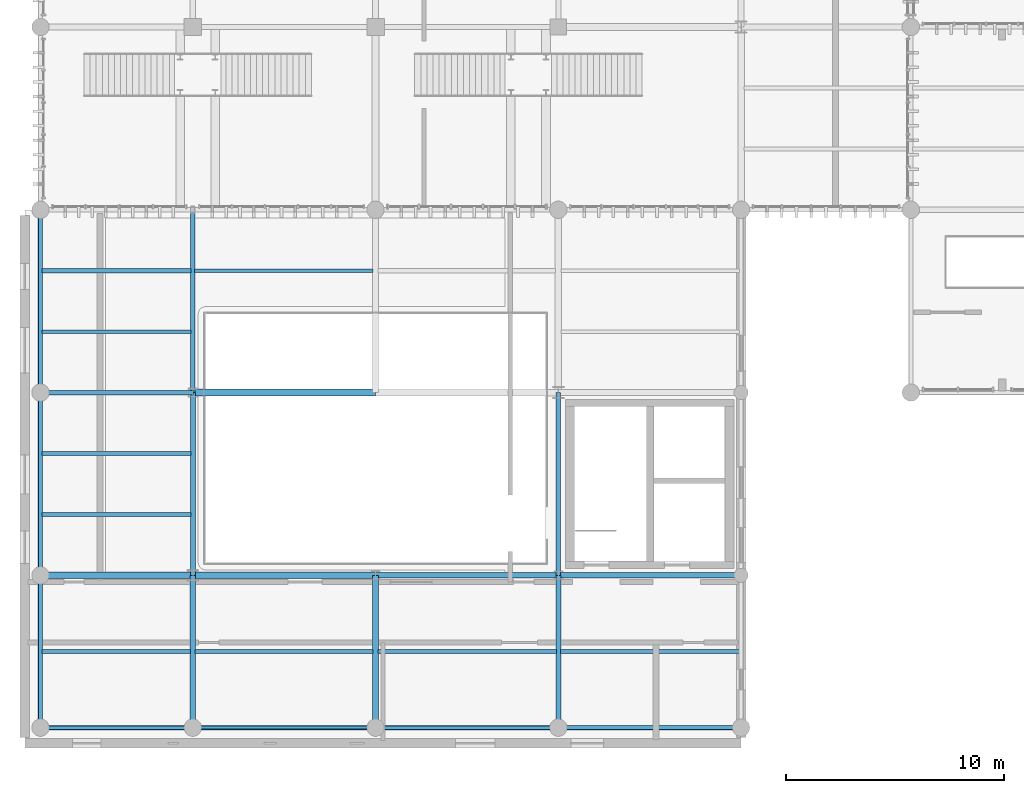
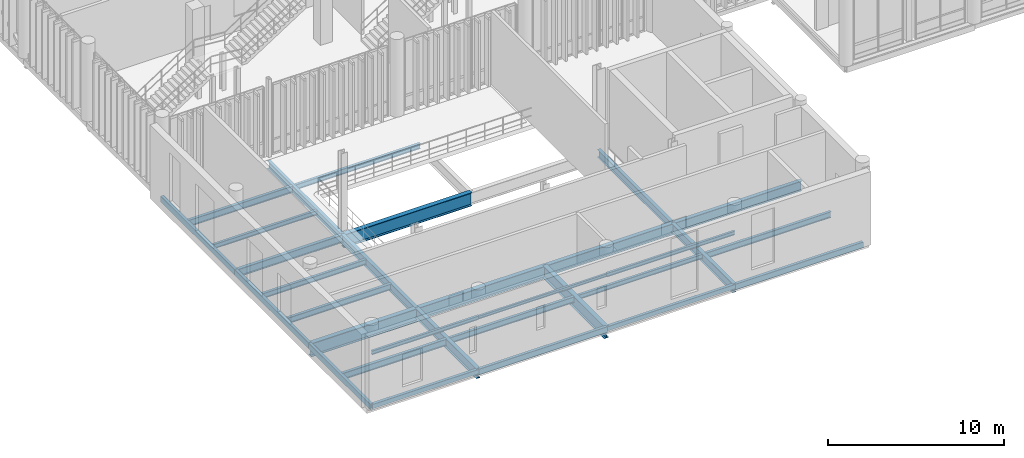
# One storey, part 14 of 128: 31 beams.
"""IFC4 building model written with IfcOpenShell, lengths in metres."""

import ifcopenshell
import ifcopenshell.guid

model = None  # the IFC model being written
_history = None  # IfcOwnerHistory: only IFC2X3 demands one
_inside = {}  # id of a spatial element -> (the spatial element, [elements in it])
_under = {}  # id of a project, library or spatial element -> (it, [spatial elements below it])
_declared = {}  # id of a project -> (the project, [libraries it declares])
_typed = {}  # id of a type object -> (the type object, [elements of that type])
_made_of = {}  # id of a material, layer set ... -> (it, [elements and type objects made of it])


def new_model(schema):
    """Start an empty IFC model of exactly this schema.

    Asked for "IFC4X3", IfcOpenShell would pick the latest addendum, in which some entities
    have other attributes; the version numbers below select the first issue.
    IFC2X3 requires an IfcOwnerHistory on every rooted entity: one is made here for all.
    """
    global model, _history
    if schema == "IFC4X3":
        model = ifcopenshell.file(schema_version=(4, 3, 0, 0))
    else:
        model = ifcopenshell.file(schema=schema)
    _inside.clear()
    _under.clear()
    _declared.clear()
    _typed.clear()
    _made_of.clear()
    _history = None
    if model.schema == "IFC2X3":
        org = make("IfcOrganization", Name="unknown")
        user = make(
            "IfcPersonAndOrganization",
            ThePerson=make("IfcPerson", FamilyName="unknown"),
            TheOrganization=org,
        )
        app = make(
            "IfcApplication",
            ApplicationDeveloper=org,
            Version="unknown",
            ApplicationFullName="unknown",
            ApplicationIdentifier="unknown",
        )
        _history = make(
            "IfcOwnerHistory",
            OwningUser=user,
            OwningApplication=app,
            ChangeAction="ADDED",
            CreationDate=0,
        )
    return model


def make(cls, **values):
    """One entity of the class cls with the attributes given. An attribute that is None is left unset."""
    return model.create_entity(
        cls, **{name: value for name, value in values.items() if value is not None}
    )


def rooted(cls, **values):
    """An entity with a GlobalId (a new one), such as an element, a storey or a relation."""
    return make(cls, GlobalId=ifcopenshell.guid.new(), OwnerHistory=_history, **values)


def si_unit(unit_type, name, prefix=None):
    """IfcSIUnit, for example si_unit("LENGTHUNIT", "METRE", prefix="MILLI")."""
    return make("IfcSIUnit", UnitType=unit_type, Prefix=prefix, Name=name)


def assignment(units):
    """IfcUnitAssignment: the units of a project."""
    return None if units is None else make("IfcUnitAssignment", Units=units)


def point(xyz):
    """IfcCartesianPoint."""
    return None if xyz is None else make("IfcCartesianPoint", Coordinates=xyz)


def direction(xyz):
    """IfcDirection."""
    return None if xyz is None else make("IfcDirection", DirectionRatios=xyz)


def frame(location, z_axis=None, x_axis=None):
    """IfcAxis2Placement3D, a coordinate frame: its origin and axes. An axis left out is left unset."""
    return make(
        "IfcAxis2Placement3D",
        Location=point(location),
        Axis=direction(z_axis),
        RefDirection=direction(x_axis),
    )


def frame_2d(location, x_axis=None):
    """IfcAxis2Placement2D, a coordinate frame in the plane: its origin and x axis."""
    return make(
        "IfcAxis2Placement2D", Location=point(location), RefDirection=direction(x_axis)
    )


def origin_with_axes():
    """The frame at (0, 0, 0) with the z axis (0, 0, 1) and the x axis (1, 0, 0) written out."""
    return frame((0.0, 0.0, 0.0), z_axis=(0.0, 0.0, 1.0), x_axis=(1.0, 0.0, 0.0))


def origin_2d_with_axis():
    """The frame at (0, 0) in the plane with the x axis (1, 0) written out."""
    return frame_2d((0.0, 0.0), x_axis=(1.0, 0.0))


def place(relative_to, where):
    """IfcLocalPlacement: puts the frame where relative to a parent placement (None: the world)."""
    return make(
        "IfcLocalPlacement", PlacementRelTo=relative_to, RelativePlacement=where
    )


def context(
    kind, dimensions, precision=None, world=None, true_north=None, identifier=None
):
    """IfcGeometricRepresentationContext, for example the 3D "Model" context."""
    return make(
        "IfcGeometricRepresentationContext",
        ContextIdentifier=identifier,
        ContextType=kind,
        CoordinateSpaceDimension=dimensions,
        Precision=precision,
        WorldCoordinateSystem=world,
        TrueNorth=true_north,
    )


def subcontext(parent, identifier, kind, view, scale=None):
    """IfcGeometricRepresentationSubContext, for example "Body" below "Model"."""
    return make(
        "IfcGeometricRepresentationSubContext",
        ContextIdentifier=identifier,
        ContextType=kind,
        ParentContext=parent,
        TargetScale=scale,
        TargetView=view,
    )


def project(units=None, contexts=None):
    """IfcProject with its units and contexts."""
    return rooted(
        "IfcProject",
        Name="project",
        RepresentationContexts=contexts,
        UnitsInContext=assignment(units),
    )


def spatial(cls, under=None, at=None, **own):
    """A site, building, storey or space (cls), placed at a placement, below another one or the project."""
    s = rooted(cls, ObjectPlacement=at, **own)
    if under is not None:
        _under.setdefault(under.id(), (under, []))[1].append(s)
    return s


def profile(cls, at=None, kind="AREA", **sizes):
    """A parametric profile (cls). Its sizes go by their IFC names, for example OverallWidth=200.0."""
    return make(cls, ProfileType=kind, Position=at, **sizes)


def hollow_rectangle(**sizes):
    """IfcRectangleHollowProfileDef."""
    return profile("IfcRectangleHollowProfileDef", **sizes)


def i_section(**sizes):
    """IfcIShapeProfileDef."""
    return profile("IfcIShapeProfileDef", **sizes)


def extrude(swept, where, along, depth):
    """IfcExtrudedAreaSolid: the profile swept, set in the frame where, extruded along a direction by depth."""
    return make(
        "IfcExtrudedAreaSolid",
        SweptArea=swept,
        Position=where,
        ExtrudedDirection=direction(along),
        Depth=depth,
    )


def shape(context_of_items, identifier, shape_type, items):
    """IfcShapeRepresentation: the items that make up one representation, for example the "Body"."""
    return make(
        "IfcShapeRepresentation",
        ContextOfItems=context_of_items,
        RepresentationIdentifier=identifier,
        RepresentationType=shape_type,
        Items=items,
    )


def material(Name=None, Category=None):
    """IfcMaterial."""
    return make("IfcMaterial", Name=Name, Category=Category)


def material_profile(
    of_material, cross_section, Name=None, Category=None, Priority=None
):
    """IfcMaterialProfile: a cross section and its material."""
    return make(
        "IfcMaterialProfile",
        Name=Name,
        Material=of_material,
        Profile=cross_section,
        Priority=Priority,
        Category=Category,
    )


def profile_set(profiles, Name=None, composite=None):
    """IfcMaterialProfileSet."""
    return make(
        "IfcMaterialProfileSet",
        Name=Name,
        MaterialProfiles=profiles,
        CompositeProfile=composite,
    )


def made_of(thing, what):
    """Note that an element or type object is made of a material, layer set ...; save() writes the relation."""
    if what is not None:
        _made_of.setdefault(what.id(), (what, []))[1].append(thing)
    return thing


def type_object(cls, material=None, **own):
    """A type object (cls), such as IfcWallType, which elements share."""
    return made_of(rooted(cls, **own), material)


def element(
    cls,
    number,
    at=None,
    inside=None,
    cuts=None,
    type_object=None,
    material=None,
    context=None,
    identifier="Body",
    shape_type=None,
    held_by="IfcProductDefinitionShape",
    body=None,
    shapes=None,
    **own,
):
    """One element of the class cls, such as IfcWall. Its Tag is "e" and its number.

    at: its placement. inside: the storey or other place that contains it. cuts: it is an
    opening in that element (IfcRelVoidsElement). A single representation is given by context,
    identifier, shape_type and body (its items); several are given by shapes. held_by: the class
    of the entity that holds the representations. save() writes the other relations.
    """
    e = rooted(cls, Tag="e%d" % number, ObjectPlacement=at, **own)
    if body is not None:
        shapes = [shape(context, identifier, shape_type, body)]
    if shapes is not None:
        e.Representation = make(held_by, Representations=shapes)
    if inside is not None:
        _inside.setdefault(inside.id(), (inside, []))[1].append(e)
    if cuts is not None:
        rooted(
            "IfcRelVoidsElement", RelatingBuildingElement=cuts, RelatedOpeningElement=e
        )
    if type_object is not None:
        _typed.setdefault(type_object.id(), (type_object, []))[1].append(e)
    return made_of(e, material)


def aggregate(whole, parts):
    """IfcRelAggregates: a whole, such as a stair, and the parts it consists of."""
    return rooted("IfcRelAggregates", RelatingObject=whole, RelatedObjects=parts)


def save(model, path):
    """Write the relations noted so far, then the file.

    IfcRelAggregates (storeys below a building ...), IfcRelContainedInSpatialStructure (elements
    in a storey), IfcRelDefinesByType, IfcRelAssociatesMaterial and IfcRelDeclares: one each for
    every whole, place, type object, material and project.
    """
    for whole, parts in _under.values():
        aggregate(whole, parts)
    for where, things in _inside.values():
        rooted(
            "IfcRelContainedInSpatialStructure",
            RelatedElements=things,
            RelatingStructure=where,
        )
    for kind, things in _typed.values():
        rooted("IfcRelDefinesByType", RelatedObjects=things, RelatingType=kind)
    for what, things in _made_of.values():
        rooted("IfcRelAssociatesMaterial", RelatedObjects=things, RelatingMaterial=what)
    for by, libraries in _declared.values():
        rooted("IfcRelDeclares", RelatingContext=by, RelatedDefinitions=libraries)
    model.write(path)


model = new_model("IFC4")

# Units and contexts
model_context = context("Model", 3, precision=1e-05, world=origin_with_axes(), true_north=direction((0.0, 1.0)))
body_context = subcontext(model_context, "Body", "Model", "MODEL_VIEW")
ifc_project = project(units=[si_unit("LENGTHUNIT", "METRE"), si_unit("AREAUNIT", "SQUARE_METRE"), si_unit("VOLUMEUNIT", "CUBIC_METRE"), si_unit("PLANEANGLEUNIT", "RADIAN"), si_unit("MASSUNIT", "GRAM", prefix="KILO"), si_unit("THERMODYNAMICTEMPERATUREUNIT", "KELVIN")], contexts=[model_context])

# Site, building, storey
site_placement = place(None, origin_with_axes())
site = spatial("IfcSite", under=ifc_project, at=site_placement, CompositionType="ELEMENT")
building_placement = place(site_placement, origin_with_axes())
building = spatial("IfcBuilding", under=site, at=building_placement, Name="Montbau Bow Law Courts", CompositionType="ELEMENT")
storey_placement = place(building_placement, frame((0.0, 0.0, 5.4), z_axis=(0.0, 0.0, 1.0), x_axis=(1.0, 0.0, 0.0)))
storey = spatial("IfcBuildingStorey", under=building, at=storey_placement, Name="L01", CompositionType="ELEMENT", Elevation=5.4)

# Beams
ifc_material_1 = material(Name="Steel CSA G40.21 Grade 350W (350 MPa)", Category="steel")
ifc_material_profile_1 = material_profile(ifc_material_1, i_section(OverallWidth=0.306, OverallDepth=0.919, WebThickness=0.0173, FlangeThickness=0.0279, at=origin_2d_with_axis()), Name="W920X253", Category="Main", Priority=0)
ifc_profile_set_1 = profile_set([ifc_material_profile_1], Name="Steel CSA G40.21 Grade 350W (350 MPa)")
beam_type_1 = type_object("IfcBeamType", Name="B-FLR-01", PredefinedType="BEAM", material=ifc_profile_set_1)
beam_1_placement = place(None, frame((6.8, 13.8, 4.64), z_axis=(1.0, 0.0, 0.0), x_axis=(0.0, 1.0, 0.0)))
element("IfcBeam", 1, at=beam_1_placement, inside=storey, type_object=beam_type_1, Name="BM-L01-S0492:bm2_0495", PredefinedType="BEAM", context=body_context, shape_type="SweptSolid", body=[
    extrude(i_section(OverallWidth=0.306, OverallDepth=0.919, WebThickness=0.0173, FlangeThickness=0.0279, at=origin_2d_with_axis()), origin_with_axes(), (0.0, 0.0, 1.0), 7.0),
])
beam_2_placement = place(None, frame((13.8, 22.2, 4.64), z_axis=(1.0, 0.0, 0.0), x_axis=(0.0, 1.0, 0.0)))
element("IfcBeam", 2, at=beam_2_placement, inside=storey, type_object=beam_type_1, Name="BM-L01-S0497:bm2_0500", PredefinedType="BEAM", context=body_context, shape_type="SweptSolid", body=[
    extrude(i_section(OverallWidth=0.306, OverallDepth=0.919, WebThickness=0.0173, FlangeThickness=0.0279, at=origin_2d_with_axis()), origin_with_axes(), (0.0, 0.0, 1.0), 8.4),
])
ifc_material_profile_2 = material_profile(ifc_material_1, i_section(OverallWidth=0.293, OverallDepth=0.846, WebThickness=0.0154, FlangeThickness=0.0244, at=origin_2d_with_axis()), Name="W840X210", Category="Main", Priority=0)
ifc_profile_set_2 = profile_set([ifc_material_profile_2], Name="Steel CSA G40.21 Grade 350W (350 MPa)")
beam_type_2 = type_object("IfcBeamType", Name="B-FLR-02", PredefinedType="BEAM", material=ifc_profile_set_2)
beam_3_placement = place(None, frame((13.8, 13.8, 4.677), z_axis=(1.0, 0.0, 0.0), x_axis=(0.0, 1.0, 0.0)))
element("IfcBeam", 3, at=beam_3_placement, inside=storey, type_object=beam_type_2, Name="BM-L01-S0493:bm2_0496", PredefinedType="BEAM", context=body_context, shape_type="SweptSolid", body=[
    extrude(i_section(OverallWidth=0.293, OverallDepth=0.846, WebThickness=0.0154, FlangeThickness=0.0244, at=origin_2d_with_axis()), origin_with_axes(), (0.0, 0.0, 1.0), 8.4),
])
beam_4_placement = place(None, frame((22.2, 6.8, 4.677), z_axis=(0.0, 1.0, 0.0), x_axis=(-1.0, 0.0, 0.0)))
element("IfcBeam", 4, at=beam_4_placement, inside=storey, type_object=beam_type_2, Name="BM-L01-S0510:bm2_0513", PredefinedType="BEAM", context=body_context, shape_type="SweptSolid", body=[
    extrude(i_section(OverallWidth=0.293, OverallDepth=0.846, WebThickness=0.0154, FlangeThickness=0.0244, at=origin_2d_with_axis()), origin_with_axes(), (0.0, 0.0, 1.0), 7.0),
])
ifc_material_profile_3 = material_profile(ifc_material_1, i_section(OverallWidth=0.267, OverallDepth=0.766, WebThickness=0.0149, FlangeThickness=0.0236, at=origin_2d_with_axis()), Name="W760X185", Category="Main", Priority=0)
ifc_profile_set_3 = profile_set([ifc_material_profile_3], Name="Steel CSA G40.21 Grade 350W (350 MPa)")
beam_type_3 = type_object("IfcBeamType", Name="B-FLR-03", PredefinedType="BEAM", material=ifc_profile_set_3)
beam_5_placement = place(None, frame((22.2, 13.8, 4.717), z_axis=(1.0, 0.0, 0.0), x_axis=(0.0, 1.0, 0.0)))
element("IfcBeam", 5, at=beam_5_placement, inside=storey, type_object=beam_type_3, Name="BM-L01-S0494:bm2_0497", PredefinedType="BEAM", context=body_context, shape_type="SweptSolid", body=[
    extrude(i_section(OverallWidth=0.267, OverallDepth=0.766, WebThickness=0.0149, FlangeThickness=0.0236, at=origin_2d_with_axis()), origin_with_axes(), (0.0, 0.0, 1.0), 8.4),
])
ifc_material_profile_4 = material_profile(ifc_material_1, i_section(OverallWidth=0.254, OverallDepth=0.688, WebThickness=0.0131, FlangeThickness=0.0211, at=origin_2d_with_axis()), Name="W690X152", Category="Main", Priority=0)
ifc_profile_set_4 = profile_set([ifc_material_profile_4], Name="Steel CSA G40.21 Grade 350W (350 MPa)")
beam_type_4 = type_object("IfcBeamType", Name="B-FLR-04", PredefinedType="BEAM", material=ifc_profile_set_4)
beam_6_placement = place(None, frame((30.6, 13.8, 4.756), z_axis=(1.0, 0.0, 0.0), x_axis=(0.0, 1.0, 0.0)))
element("IfcBeam", 6, at=beam_6_placement, inside=storey, type_object=beam_type_4, Name="BM-L01-S0495:bm2_0498", PredefinedType="BEAM", context=body_context, shape_type="SweptSolid", body=[
    extrude(i_section(OverallWidth=0.254, OverallDepth=0.688, WebThickness=0.0131, FlangeThickness=0.0211, at=origin_2d_with_axis()), origin_with_axes(), (0.0, 0.0, 1.0), 8.4),
])
beam_7_placement = place(None, frame((13.8, 6.8, 4.756), z_axis=(0.0, 1.0, 0.0), x_axis=(-1.0, 0.0, 0.0)))
element("IfcBeam", 7, at=beam_7_placement, inside=storey, type_object=beam_type_4, Name="BM-L01-S0507:bm2_0510", PredefinedType="BEAM", context=body_context, shape_type="SweptSolid", body=[
    extrude(i_section(OverallWidth=0.254, OverallDepth=0.688, WebThickness=0.0131, FlangeThickness=0.0211, at=origin_2d_with_axis()), origin_with_axes(), (0.0, 0.0, 1.0), 7.0),
])
ifc_material_profile_5 = material_profile(ifc_material_1, i_section(OverallWidth=0.229, OverallDepth=0.612, WebThickness=0.0119, FlangeThickness=0.0196, at=origin_2d_with_axis()), Name="W610X125", Category="Main", Priority=0)
ifc_profile_set_5 = profile_set([ifc_material_profile_5], Name="Steel CSA G40.21 Grade 350W (350 MPa)")
beam_type_5 = type_object("IfcBeamType", Name="B-FLR-05", PredefinedType="BEAM", material=ifc_profile_set_5)
beam_8_placement = place(None, frame((13.8, 13.8, 4.794), z_axis=(0.0, 1.0, 0.0), x_axis=(-1.0, 0.0, 0.0)))
element("IfcBeam", 8, at=beam_8_placement, inside=storey, type_object=beam_type_5, Name="BM-L01-S0508:bm2_0511", PredefinedType="BEAM", context=body_context, shape_type="SweptSolid", body=[
    extrude(i_section(OverallWidth=0.229, OverallDepth=0.612, WebThickness=0.0119, FlangeThickness=0.0196, at=origin_2d_with_axis()), origin_with_axes(), (0.0, 0.0, 1.0), 8.4),
])
beam_9_placement = place(None, frame((30.6, 6.8, 4.794), z_axis=(0.0, 1.0, 0.0), x_axis=(-1.0, 0.0, 0.0)))
element("IfcBeam", 9, at=beam_9_placement, inside=storey, type_object=beam_type_5, Name="BM-L01-S0512:bm2_0515", PredefinedType="BEAM", context=body_context, shape_type="SweptSolid", body=[
    extrude(i_section(OverallWidth=0.229, OverallDepth=0.612, WebThickness=0.0119, FlangeThickness=0.0196, at=origin_2d_with_axis()), origin_with_axes(), (0.0, 0.0, 1.0), 7.0),
])
ifc_material_profile_6 = material_profile(ifc_material_1, i_section(OverallWidth=0.21, OverallDepth=0.537, WebThickness=0.0109, FlangeThickness=0.0174, at=origin_2d_with_axis()), Name="W530X101", Category="Main", Priority=0)
ifc_profile_set_6 = profile_set([ifc_material_profile_6], Name="Steel CSA G40.21 Grade 350W (350 MPa)")
beam_type_6 = type_object("IfcBeamType", Name="B-FLR-06", PredefinedType="BEAM", material=ifc_profile_set_6)
beam_10_placement = place(None, frame((6.8, 22.2, 4.831), z_axis=(1.0, 0.0, 0.0), x_axis=(0.0, 1.0, 0.0)))
element("IfcBeam", 10, at=beam_10_placement, inside=storey, type_object=beam_type_6, Name="BM-L01-S0496:bm2_0499", PredefinedType="BEAM", context=body_context, shape_type="SweptSolid", body=[
    extrude(i_section(OverallWidth=0.21, OverallDepth=0.537, WebThickness=0.0109, FlangeThickness=0.0174, at=origin_2d_with_axis()), origin_with_axes(), (0.0, 0.0, 1.0), 7.0),
])
for number, where, z_axis, x_axis, name in (
    (11, (13.8, 22.2, 4.831), (0.0, 1.0, 0.0), (-1.0, 0.0, 0.0), "BM-L01-S0509:bm2_0512"),
    (12, (30.6, 13.8, 4.831), (0.0, 1.0, 0.0), (-1.0, 0.0, 0.0), "BM-L01-S0513:bm2_0516"),
):
    element("IfcBeam", number, at=place(None, frame(where, z_axis=z_axis, x_axis=x_axis)), inside=storey, type_object=beam_type_6, Name=name, PredefinedType="BEAM", context=body_context, shape_type="SweptSolid", body=[
        extrude(i_section(OverallWidth=0.21, OverallDepth=0.537, WebThickness=0.0109, FlangeThickness=0.0174, at=origin_2d_with_axis()), origin_with_axes(), (0.0, 0.0, 1.0), 8.4),
    ])
ifc_material_profile_7 = material_profile(ifc_material_1, i_section(OverallWidth=0.191, OverallDepth=0.46, WebThickness=0.0099, FlangeThickness=0.016, at=origin_2d_with_axis()), Name="W460X82", Category="Main", Priority=0)
ifc_profile_set_7 = profile_set([ifc_material_profile_7], Name="Steel CSA G40.21 Grade 350W (350 MPa)")
beam_type_7 = type_object("IfcBeamType", Name="B-JST-01", PredefinedType="JOIST", material=ifc_profile_set_7)
beam_11_placement = place(None, frame((6.88, 10.3, 4.87), z_axis=(1.0, 0.0, 0.0), x_axis=(0.0, 1.0, 0.0)))
element("IfcBeam", 13, at=beam_11_placement, inside=storey, type_object=beam_type_7, Name="JST-L01-S0236:jst2_0236", PredefinedType="JOIST", context=body_context, shape_type="SweptSolid", body=[
    extrude(i_section(OverallWidth=0.191, OverallDepth=0.46, WebThickness=0.0099, FlangeThickness=0.016, at=origin_2d_with_axis()), origin_with_axes(), (0.0, 0.0, 1.0), 6.817),
])
beam_12_placement = place(None, frame((6.88, 27.8, 4.87), z_axis=(1.0, 0.0, 0.0), x_axis=(0.0, 1.0, 0.0)))
element("IfcBeam", 14, at=beam_12_placement, inside=storey, type_object=beam_type_7, Name="JST-L01-S0240:jst2_0240", PredefinedType="JOIST", context=body_context, shape_type="SweptSolid", body=[
    extrude(i_section(OverallWidth=0.191, OverallDepth=0.46, WebThickness=0.0099, FlangeThickness=0.016, at=origin_2d_with_axis()), origin_with_axes(), (0.0, 0.0, 1.0), 6.839),
])
ifc_material_profile_8 = material_profile(ifc_material_1, i_section(OverallWidth=0.179, OverallDepth=0.41, WebThickness=0.0088, FlangeThickness=0.0144, at=origin_2d_with_axis()), Name="W410X67", Category="Main", Priority=0)
ifc_profile_set_8 = profile_set([ifc_material_profile_8], Name="Steel CSA G40.21 Grade 350W (350 MPa)")
beam_type_8 = type_object("IfcBeamType", Name="B-JST-02", PredefinedType="JOIST", material=ifc_profile_set_8)
beam_13_placement = place(None, frame((6.88, 16.6, 4.895), z_axis=(1.0, 0.0, 0.0), x_axis=(0.0, 1.0, 0.0)))
element("IfcBeam", 15, at=beam_13_placement, inside=storey, type_object=beam_type_8, Name="JST-L01-S0237:jst2_0237", PredefinedType="JOIST", context=body_context, shape_type="SweptSolid", body=[
    extrude(i_section(OverallWidth=0.179, OverallDepth=0.41, WebThickness=0.0088, FlangeThickness=0.0144, at=origin_2d_with_axis()), origin_with_axes(), (0.0, 0.0, 1.0), 6.83),
])
beam_14_placement = place(None, frame((13.903, 10.3, 4.895), z_axis=(1.0, 0.0, 0.0), x_axis=(0.0, 1.0, 0.0)))
element("IfcBeam", 16, at=beam_14_placement, inside=storey, type_object=beam_type_8, Name="JST-L01-S0241:jst2_0241", PredefinedType="JOIST", context=body_context, shape_type="SweptSolid", body=[
    extrude(i_section(OverallWidth=0.179, OverallDepth=0.41, WebThickness=0.0088, FlangeThickness=0.0144, at=origin_2d_with_axis()), origin_with_axes(), (0.0, 0.0, 1.0), 8.175),
])
beam_15_placement = place(None, frame((30.691, 10.3, 4.895), z_axis=(1.0, 0.0, 0.0), x_axis=(0.0, 1.0, 0.0)))
element("IfcBeam", 17, at=beam_15_placement, inside=storey, type_object=beam_type_8, Name="JST-L01-S0245:jst2_0245", PredefinedType="JOIST", context=body_context, shape_type="SweptSolid", body=[
    extrude(i_section(OverallWidth=0.179, OverallDepth=0.41, WebThickness=0.0088, FlangeThickness=0.0144, at=origin_2d_with_axis()), origin_with_axes(), (0.0, 0.0, 1.0), 8.229),
])
ifc_material_profile_9 = material_profile(ifc_material_1, i_section(OverallWidth=0.172, OverallDepth=0.358, WebThickness=0.0079, FlangeThickness=0.0131, at=origin_2d_with_axis()), Name="W360X57", Category="Main", Priority=0)
ifc_profile_set_9 = profile_set([ifc_material_profile_9], Name="Steel CSA G40.21 Grade 350W (350 MPa)")
beam_type_9 = type_object("IfcBeamType", Name="B-JST-03", PredefinedType="JOIST", material=ifc_profile_set_9)
beam_16_placement = place(None, frame((6.88, 19.4, 4.921), z_axis=(1.0, 0.0, 0.0), x_axis=(0.0, 1.0, 0.0)))
element("IfcBeam", 18, at=beam_16_placement, inside=storey, type_object=beam_type_9, Name="JST-L01-S0238:jst2_0238", PredefinedType="JOIST", context=body_context, shape_type="SweptSolid", body=[
    extrude(i_section(OverallWidth=0.172, OverallDepth=0.358, WebThickness=0.0079, FlangeThickness=0.0131, at=origin_2d_with_axis()), origin_with_axes(), (0.0, 0.0, 1.0), 6.83),
])
beam_17_placement = place(None, frame((13.881, 27.8, 4.921), z_axis=(1.0, 0.0, 0.0), x_axis=(0.0, 1.0, 0.0)))
element("IfcBeam", 19, at=beam_17_placement, inside=storey, type_object=beam_type_9, Name="JST-L01-S0242:jst2_0242", PredefinedType="JOIST", context=body_context, shape_type="SweptSolid", body=[
    extrude(i_section(OverallWidth=0.172, OverallDepth=0.358, WebThickness=0.0079, FlangeThickness=0.0131, at=origin_2d_with_axis()), origin_with_axes(), (0.0, 0.0, 1.0), 8.209),
])
ifc_material_profile_10 = material_profile(ifc_material_1, i_section(OverallWidth=0.166, OverallDepth=0.313, WebThickness=0.0066, FlangeThickness=0.0112, at=origin_2d_with_axis()), Name="W310X45", Category="Main", Priority=0)
ifc_profile_set_10 = profile_set([ifc_material_profile_10], Name="Steel CSA G40.21 Grade 350W (350 MPa)")
beam_type_10 = type_object("IfcBeamType", Name="B-JST-04", PredefinedType="JOIST", material=ifc_profile_set_10)
beam_18_placement = place(None, frame((6.88, 25.0, 4.943), z_axis=(1.0, 0.0, 0.0), x_axis=(0.0, 1.0, 0.0)))
element("IfcBeam", 20, at=beam_18_placement, inside=storey, type_object=beam_type_10, Name="JST-L01-S0239:jst2_0239", PredefinedType="JOIST", context=body_context, shape_type="SweptSolid", body=[
    extrude(i_section(OverallWidth=0.166, OverallDepth=0.313, WebThickness=0.0066, FlangeThickness=0.0112, at=origin_2d_with_axis()), origin_with_axes(), (0.0, 0.0, 1.0), 6.839),
])
beam_19_placement = place(None, frame((22.322, 10.3, 4.943), z_axis=(1.0, 0.0, 0.0), x_axis=(0.0, 1.0, 0.0)))
element("IfcBeam", 21, at=beam_19_placement, inside=storey, type_object=beam_type_10, Name="JST-L01-S0243:jst2_0243", PredefinedType="JOIST", context=body_context, shape_type="SweptSolid", body=[
    extrude(i_section(OverallWidth=0.166, OverallDepth=0.313, WebThickness=0.0066, FlangeThickness=0.0112, at=origin_2d_with_axis()), origin_with_axes(), (0.0, 0.0, 1.0), 8.188),
])
ifc_material_profile_11 = material_profile(ifc_material_1, i_section(OverallWidth=0.147, OverallDepth=0.262, WebThickness=0.0066, FlangeThickness=0.0112, at=origin_2d_with_axis()), Name="W250X39", Category="Main", Priority=0)
ifc_profile_set_11 = profile_set([ifc_material_profile_11], Name="Steel CSA G40.21 Grade 350W (350 MPa)")
beam_type_11 = type_object("IfcBeamType", Name="B-LNT-01", PredefinedType="LINTEL", material=ifc_profile_set_11)
beam_20_placement = place(None, frame((6.8, 6.8, 8.65), z_axis=(1.0, 0.0, 0.0), x_axis=(0.0, 1.0, 0.0)))
element("IfcBeam", 22, at=beam_20_placement, inside=storey, type_object=beam_type_11, Name="LNT-L01-07:lnt_0007", PredefinedType="LINTEL", context=body_context, shape_type="SweptSolid", body=[
    extrude(i_section(OverallWidth=0.147, OverallDepth=0.262, WebThickness=0.0066, FlangeThickness=0.0112, at=origin_2d_with_axis()), origin_with_axes(), (0.0, 0.0, 1.0), 7.0),
])
beam_21_placement = place(None, frame((22.2, 6.8, 8.65), z_axis=(1.0, 0.0, 0.0), x_axis=(0.0, 1.0, 0.0)))
element("IfcBeam", 23, at=beam_21_placement, inside=storey, type_object=beam_type_11, Name="LNT-L01-09:lnt_0009", PredefinedType="LINTEL", context=body_context, shape_type="SweptSolid", body=[
    extrude(i_section(OverallWidth=0.147, OverallDepth=0.262, WebThickness=0.0066, FlangeThickness=0.0112, at=origin_2d_with_axis()), origin_with_axes(), (0.0, 0.0, 1.0), 8.4),
])
ifc_material_profile_12 = material_profile(ifc_material_1, i_section(OverallWidth=0.134, OverallDepth=0.21, WebThickness=0.0064, FlangeThickness=0.0102, at=origin_2d_with_axis()), Name="W200X31", Category="Main", Priority=0)
ifc_profile_set_12 = profile_set([ifc_material_profile_12], Name="Steel CSA G40.21 Grade 350W (350 MPa)")
beam_type_12 = type_object("IfcBeamType", Name="B-LNT-02", PredefinedType="LINTEL", material=ifc_profile_set_12)
beam_22_placement = place(None, frame((13.8, 6.8, 8.65), z_axis=(1.0, 0.0, 0.0), x_axis=(0.0, 1.0, 0.0)))
element("IfcBeam", 24, at=beam_22_placement, inside=storey, type_object=beam_type_12, Name="LNT-L01-08:lnt_0008", PredefinedType="LINTEL", context=body_context, shape_type="SweptSolid", body=[
    extrude(i_section(OverallWidth=0.134, OverallDepth=0.21, WebThickness=0.0064, FlangeThickness=0.0102, at=origin_2d_with_axis()), origin_with_axes(), (0.0, 0.0, 1.0), 8.4),
])
ifc_material_2 = material(Name="Steel CSA G40.21 Grade 350WT (350 MPa)", Category="steel")
ifc_material_profile_13 = material_profile(ifc_material_2, hollow_rectangle(XDim=0.203, YDim=0.406, WallThickness=0.0127, InnerFilletRadius=0.0254, OuterFilletRadius=0.0127, at=origin_2d_with_axis()), Name="HSS406X203X13", Category="Main", Priority=0)
ifc_profile_set_13 = profile_set([ifc_material_profile_13], Name="Steel CSA G40.21 Grade 350WT (350 MPa)")
beam_type_13 = type_object("IfcBeamType", Name="B-SPN-01", PredefinedType="SPANDREL", material=ifc_profile_set_13)
for number, where, z_axis, x_axis, name in (
    (25, (13.8, 6.8, 4.897), (1.0, 0.0, 0.0), (0.0, 1.0, 0.0), "SPN-L01-S0489:bm2_0492"),
    (26, (30.6, 6.8, 4.897), (1.0, 0.0, 0.0), (0.0, 1.0, 0.0), "SPN-L01-S0491:bm2_0494"),
):
    element("IfcBeam", number, at=place(None, frame(where, z_axis=z_axis, x_axis=x_axis)), inside=storey, type_object=beam_type_13, Name=name, PredefinedType="SPANDREL", context=body_context, shape_type="SweptSolid", body=[
        extrude(hollow_rectangle(XDim=0.203, YDim=0.406, WallThickness=0.0127, InnerFilletRadius=0.0254, OuterFilletRadius=0.0127, at=origin_2d_with_axis()), origin_with_axes(), (0.0, 0.0, 1.0), 8.4),
    ])
beam_23_placement = place(None, frame((6.8, 6.8, 4.897), z_axis=(0.0, 1.0, 0.0), x_axis=(-1.0, 0.0, 0.0)))
element("IfcBeam", 27, at=beam_23_placement, inside=storey, type_object=beam_type_13, Name="SPN-L01-S0504:bm2_0507", PredefinedType="SPANDREL", context=body_context, shape_type="SweptSolid", body=[
    extrude(hollow_rectangle(XDim=0.203, YDim=0.406, WallThickness=0.0127, InnerFilletRadius=0.0254, OuterFilletRadius=0.0127, at=origin_2d_with_axis()), origin_with_axes(), (0.0, 0.0, 1.0), 7.0),
])
for number, where, z_axis, x_axis, name in (
    (28, (6.8, 13.8, 4.897), (0.0, 1.0, 0.0), (-1.0, 0.0, 0.0), "SPN-L01-S0505:bm2_0508"),
    (29, (6.8, 22.2, 4.897), (0.0, 1.0, 0.0), (-1.0, 0.0, 0.0), "SPN-L01-S0506:bm2_0509"),
):
    element("IfcBeam", number, at=place(None, frame(where, z_axis=z_axis, x_axis=x_axis)), inside=storey, type_object=beam_type_13, Name=name, PredefinedType="SPANDREL", context=body_context, shape_type="SweptSolid", body=[
        extrude(hollow_rectangle(XDim=0.203, YDim=0.406, WallThickness=0.0127, InnerFilletRadius=0.0254, OuterFilletRadius=0.0127, at=origin_2d_with_axis()), origin_with_axes(), (0.0, 0.0, 1.0), 8.4),
    ])
ifc_material_profile_14 = material_profile(ifc_material_2, hollow_rectangle(XDim=0.203, YDim=0.305, WallThickness=0.0127, InnerFilletRadius=0.0254, OuterFilletRadius=0.0127, at=origin_2d_with_axis()), Name="HSS305X203X13", Category="Main", Priority=0)
ifc_profile_set_14 = profile_set([ifc_material_profile_14], Name="Steel CSA G40.21 Grade 350WT (350 MPa)")
beam_type_14 = type_object("IfcBeamType", Name="B-SPN-02", PredefinedType="SPANDREL", material=ifc_profile_set_14)
beam_24_placement = place(None, frame((6.8, 6.8, 4.947), z_axis=(1.0, 0.0, 0.0), x_axis=(0.0, 1.0, 0.0)))
element("IfcBeam", 30, at=beam_24_placement, inside=storey, type_object=beam_type_14, Name="SPN-L01-S0488:bm2_0491", PredefinedType="SPANDREL", context=body_context, shape_type="SweptSolid", body=[
    extrude(hollow_rectangle(XDim=0.203, YDim=0.305, WallThickness=0.0127, InnerFilletRadius=0.0254, OuterFilletRadius=0.0127, at=origin_2d_with_axis()), origin_with_axes(), (0.0, 0.0, 1.0), 7.0),
])
beam_25_placement = place(None, frame((22.2, 6.8, 4.947), z_axis=(1.0, 0.0, 0.0), x_axis=(0.0, 1.0, 0.0)))
element("IfcBeam", 31, at=beam_25_placement, inside=storey, type_object=beam_type_14, Name="SPN-L01-S0490:bm2_0493", PredefinedType="SPANDREL", context=body_context, shape_type="SweptSolid", body=[
    extrude(hollow_rectangle(XDim=0.203, YDim=0.305, WallThickness=0.0127, InnerFilletRadius=0.0254, OuterFilletRadius=0.0127, at=origin_2d_with_axis()), origin_with_axes(), (0.0, 0.0, 1.0), 8.4),
])

save(model, "model.ifc")
